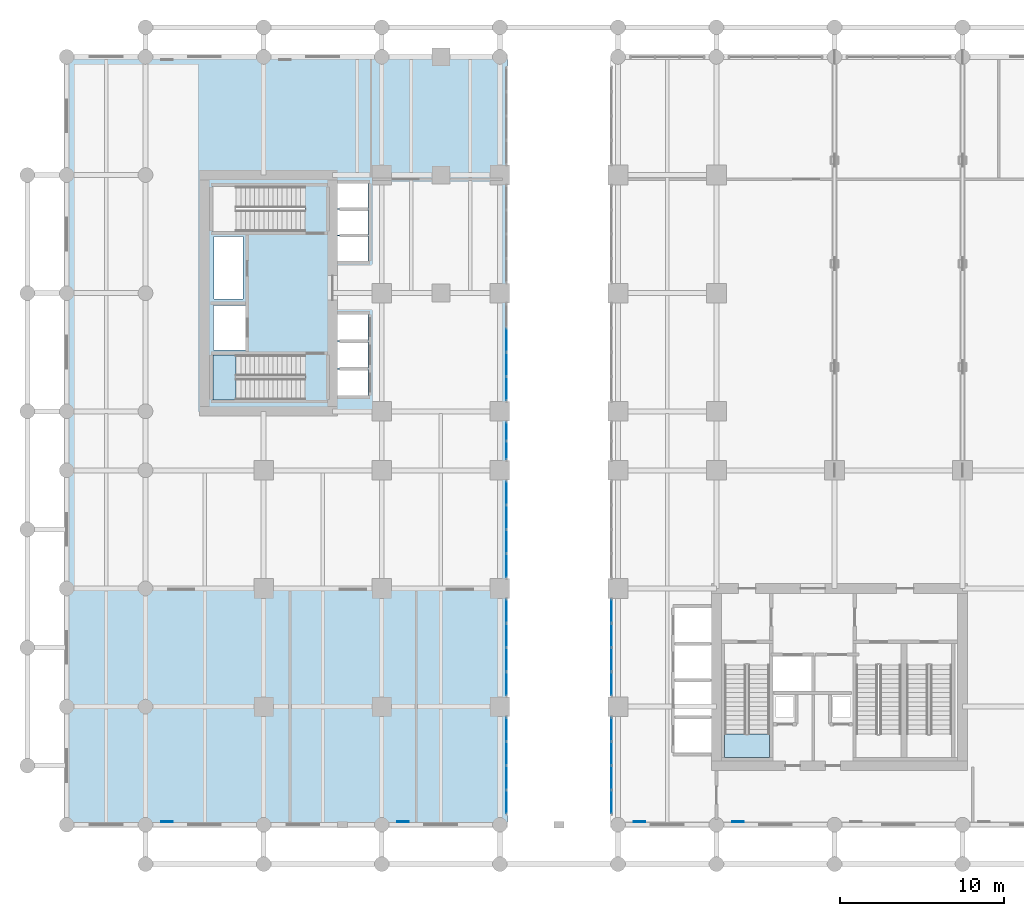
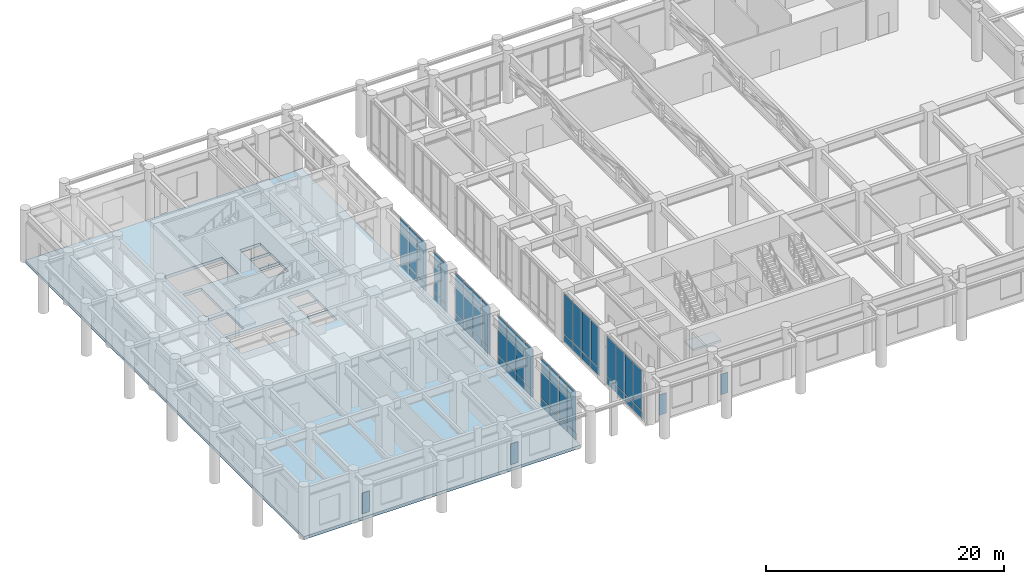
# One storey, part 11 of 24: 54 plates, 3 slabs, 9 elements without a shape of their own.
"""IFC4 building model written with IfcOpenShell, lengths in metres."""

from ifc_helpers import new_model, si_unit, derived_unit, direction, frame, origin, origin_2d, place, context, subcontext, project, spatial, polyline, rectangle, outline, extrude, source, transform, mapped, material, layer, layer_set, type_object, type_shapes, element, aggregate, save


model = new_model("IFC4")

# Units and contexts
model_context = context("Model", 3, precision=1e-05, world=origin(), true_north=direction((0.0, 1.0)))
body_context = subcontext(model_context, "Body", "Model", "MODEL_VIEW")
ifc_project = project(units=[si_unit("LENGTHUNIT", "METRE"), si_unit("AREAUNIT", "SQUARE_METRE"), si_unit("VOLUMEUNIT", "CUBIC_METRE"), si_unit("PLANEANGLEUNIT", "RADIAN"), si_unit("MASSUNIT", "GRAM", prefix="KILO"), si_unit("THERMODYNAMICTEMPERATUREUNIT", "KELVIN"), si_unit("POWERUNIT", "WATT"), derived_unit("THERMALTRANSMITTANCEUNIT", [(si_unit("POWERUNIT", "WATT"), 1), (si_unit("AREAUNIT", "SQUARE_METRE"), -1), (si_unit("THERMODYNAMICTEMPERATUREUNIT", "KELVIN"), -1)])], contexts=[model_context])

# Site, building, storey
site_placement = place(None, origin())
site = spatial("IfcSite", under=ifc_project, at=site_placement, CompositionType="ELEMENT")
building_placement = place(site_placement, origin())
building = spatial("IfcBuilding", under=site, at=building_placement, Name="Zahravan Archway Hotel and Residences", CompositionType="ELEMENT")
storey_placement = place(building_placement, frame((0.0, 0.0, 10.800048828125)))
storey = spatial("IfcBuildingStorey", under=building, at=storey_placement, Name="L02", CompositionType="ELEMENT", Elevation=10.800048828125)

# Slab
ifc_material_1 = material(Name="Concrete C50/60", Category="concrete")
ifc_layer_1 = layer(ifc_material_1, 0.300048828125, Name="Concrete C50/60", Category="concrete")
ifc_layer_set_1 = layer_set([ifc_layer_1], Name="Concrete C50/60")
slab_type_1 = type_object("IfcSlabType", Name="SLB-FLR-300", PredefinedType="FLOOR", material=ifc_layer_set_1)
slab_1_placement = place(storey_placement, frame((0.0, 0.0, -0.300048828125)))
element("IfcSlab", 1, at=slab_1_placement, inside=storey, type_object=slab_type_1, Name="L02 Floor Slab WEST", PredefinedType="FLOOR", context=body_context, shape_type="SweptSolid", body=[
    extrude(outline(polyline([(-4.800048828125, 0.0), (22.050048828125, 0.0), (22.050048828125, 46.800048828125), (-4.800048828125, 46.800048828125), (-4.800048828125, 0.0)]), holes=[polyline([(9.72998046875, 28.639892578125), (4.10009765625, 28.639892578125), (4.10009765625, 25.89990234375), (9.72998046875, 25.89990234375), (9.72998046875, 28.639892578125)]), polyline([(9.72998046875, 38.89990234375), (4.10009765625, 38.89990234375), (4.10009765625, 36.159912109375), (9.72998046875, 36.159912109375), (9.72998046875, 38.89990234375)]), polyline([(4.14990234375, 28.949951171875), (6.10009765625, 28.949951171875), (6.10009765625, 31.64990234375), (4.14990234375, 31.64990234375), (4.14990234375, 28.949951171875)]), polyline([(11.550048828125, 26.14990234375), (13.550048828125, 26.14990234375), (13.550048828125, 27.75), (11.550048828125, 27.75), (11.550048828125, 26.14990234375)]), polyline([(11.550048828125, 27.830078125), (13.550048828125, 27.830078125), (13.550048828125, 29.429931640625), (11.550048828125, 29.429931640625), (11.550048828125, 27.830078125)]), polyline([(11.550048828125, 29.510009765625), (13.550048828125, 29.510009765625), (13.550048828125, 31.110107421875), (11.550048828125, 31.110107421875), (11.550048828125, 29.510009765625)]), polyline([(11.550048828125, 34.35009765625), (13.550048828125, 34.35009765625), (13.550048828125, 35.889892578125), (11.550048828125, 35.889892578125), (11.550048828125, 34.35009765625)]), polyline([(11.550048828125, 35.949951171875), (13.550048828125, 35.949951171875), (13.550048828125, 37.489990234375), (11.550048828125, 37.489990234375), (11.550048828125, 35.949951171875)]), polyline([(11.550048828125, 37.550048828125), (13.550048828125, 37.550048828125), (13.550048828125, 39.090087890625), (11.550048828125, 39.090087890625), (11.550048828125, 37.550048828125)]), polyline([(4.179931640625, 32.050048828125), (5.93994140625, 32.050048828125), (5.93994140625, 35.840087890625), (4.179931640625, 35.840087890625), (4.179931640625, 32.050048828125)])]), origin(), (0.0, 0.0, 1.0), 0.300048828125),
])

# Stair, slab
stair_type = type_object("IfcStairType", Name="STR-CORE-1300", PredefinedType="HALF_TURN_STAIR", material=ifc_material_1)
stair_1_placement = place(storey_placement, origin())
stair_1 = element("IfcStair", 2, at=stair_1_placement, inside=storey, type_object=stair_type, Name="L02 Core A Exit Stair 1", PredefinedType="HALF_TURN_STAIR")
ifc_layer_2 = layer(ifc_material_1, 0.199951171875, Name="Concrete C50/60", Category="concrete")
ifc_layer_set_2 = layer_set([ifc_layer_2], Name="Concrete C50/60")
slab_type_2 = type_object("IfcSlabType", Name="SLB-LND-200", PredefinedType="LANDING", material=ifc_layer_set_2)
slab_2_placement = place(storey_placement, frame((0.0, 0.0, 2.5)))
slab_2 = element("IfcSlab", 3, at=slab_2_placement, type_object=slab_type_2, Name="ST-A1 landing 1", PredefinedType="LANDING", context=body_context, shape_type="SweptSolid", body=[
    extrude(outline(polyline([(35.300048828125, 5.530029296875), (35.300048828125, 4.10009765625), (38.0400390625, 4.10009765625), (38.0400390625, 5.530029296875), (35.300048828125, 5.530029296875)])), origin(), (0.0, 0.0, 1.0), 0.199951171875),
])
aggregate(stair_1, [slab_2])

stair_2_placement = place(storey_placement, origin())
stair_2 = element("IfcStair", 4, at=stair_2_placement, inside=storey, type_object=stair_type, Name="L02 Core B Exit Stair 1", PredefinedType="HALF_TURN_STAIR")
slab_3_placement = place(storey_placement, frame((0.0, 0.0, 2.5)))
slab_3 = element("IfcSlab", 5, at=slab_3_placement, type_object=slab_type_2, Name="ST-B1 landing 1", PredefinedType="LANDING", context=body_context, shape_type="SweptSolid", body=[
    extrude(outline(polyline([(5.530029296875, 28.639892578125), (4.10009765625, 28.639892578125), (4.10009765625, 25.89990234375), (5.530029296875, 25.89990234375), (5.530029296875, 28.639892578125)])), origin(), (0.0, 0.0, 1.0), 0.199951171875),
])
aggregate(stair_2, [slab_3])

# Curtain wall, plates
ifc_material_2 = material(Name="Bronze-Anodized Unitised Aluminium & Low-E Glass", Category="aluminium")
ifc_layer_3 = layer(ifc_material_2, 0.179931640625, Name="Bronze-Anodized Unitised Aluminium & Low-E Glass", Category="aluminium")
ifc_layer_set_3 = layer_set([ifc_layer_3], Name="Bronze-Anodized Unitised Aluminium & Low-E Glass")
curtain_wall_type = type_object("IfcCurtainWallType", Name="CW-POD-ARCH", PredefinedType="NOTDEFINED", material=ifc_layer_set_3)
curtain_wall_1_placement = place(storey_placement, origin())
curtain_wall_1 = element("IfcCurtainWall", 6, at=curtain_wall_1_placement, inside=storey, type_object=curtain_wall_type, Name="L02 Curtain Wall CW-PORTW-L02-1", PredefinedType="NOTDEFINED")
ifc_material_3 = material(Name="Insulated Terracotta Spandrel Panel", Category="masonry")
ifc_layer_4 = layer(ifc_material_3, 0.0400390625, Name="Insulated Terracotta Spandrel Panel", Category="masonry")
ifc_layer_set_4 = layer_set([ifc_layer_4], Name="Insulated Terracotta Spandrel Panel")
plate_type_1 = type_object("IfcPlateType", Name="CWP-SPN-40", PredefinedType="SHEET", material=ifc_layer_set_4)
shared_shape_1 = source(origin(), body_context, "Body", "SweptSolid", [
    extrude(rectangle(XDim=1.3974609375, YDim=0.0400390625, at=origin_2d()), origin(), (0.0, 0.0, 1.0), 0.7099609375),
])
plate_1_placement = place(storey_placement, frame((22.0, 1.3837890625, 0.099853515625), z_axis=(0.0, 0.0, 1.0), x_axis=(0.0, 1.0, 0.0)))
plate_1 = element("IfcPlate", 7, at=plate_1_placement, type_object=plate_type_1, Name="CW-PORTW-L02-1 Spandrel Panel 0", PredefinedType="SHEET", context=body_context, shape_type="MappedRepresentation", body=[
    mapped(shared_shape_1, transform((0.0, 0.0, 0.0), scale=1.0)),
])
plate_2_placement = place(storey_placement, frame((22.0, 2.861328125, 0.099853515625), z_axis=(0.0, 0.0, 1.0), x_axis=(0.0, 1.0, 0.0)))
plate_2 = element("IfcPlate", 8, at=plate_2_placement, type_object=plate_type_1, Name="CW-PORTW-L02-1 Spandrel Panel 1", PredefinedType="SHEET", context=body_context, shape_type="MappedRepresentation", body=[
    mapped(shared_shape_1, transform((0.0, 0.0, 0.0), scale=1.0)),
])
plate_3_placement = place(storey_placement, frame((22.0, 4.338623046875, 0.099853515625), z_axis=(0.0, 0.0, 1.0), x_axis=(0.0, 1.0, 0.0)))
plate_3 = element("IfcPlate", 9, at=plate_3_placement, type_object=plate_type_1, Name="CW-PORTW-L02-1 Spandrel Panel 2", PredefinedType="SHEET", context=body_context, shape_type="MappedRepresentation", body=[
    mapped(shared_shape_1, transform((0.0, 0.0, 0.0), scale=1.0)),
])
plate_4_placement = place(storey_placement, frame((22.0, 5.816162109375, 0.099853515625), z_axis=(0.0, 0.0, 1.0), x_axis=(0.0, 1.0, 0.0)))
plate_4 = element("IfcPlate", 10, at=plate_4_placement, type_object=plate_type_1, Name="CW-PORTW-L02-1 Spandrel Panel 3", PredefinedType="SHEET", context=body_context, shape_type="MappedRepresentation", body=[
    mapped(shared_shape_1, transform((0.0, 0.0, 0.0), scale=1.0)),
])

curtain_wall_2_placement = place(storey_placement, origin())
curtain_wall_2 = element("IfcCurtainWall", 11, at=curtain_wall_2_placement, inside=storey, type_object=curtain_wall_type, Name="L02 Curtain Wall CW-PORTW-L02-2", PredefinedType="NOTDEFINED")
plate_5_placement = place(storey_placement, frame((22.0, 8.583984375, 0.099853515625), z_axis=(0.0, 0.0, 1.0), x_axis=(0.0, 1.0, 0.0)))
plate_5 = element("IfcPlate", 12, at=plate_5_placement, type_object=plate_type_1, Name="CW-PORTW-L02-2 Spandrel Panel 0", PredefinedType="SHEET", context=body_context, shape_type="MappedRepresentation", body=[
    mapped(shared_shape_1, transform((0.0, 0.0, 0.0), scale=1.0)),
])
plate_6_placement = place(storey_placement, frame((22.0, 10.061279296875, 0.099853515625), z_axis=(0.0, 0.0, 1.0), x_axis=(0.0, 1.0, 0.0)))
plate_6 = element("IfcPlate", 13, at=plate_6_placement, type_object=plate_type_1, Name="CW-PORTW-L02-2 Spandrel Panel 1", PredefinedType="SHEET", context=body_context, shape_type="MappedRepresentation", body=[
    mapped(shared_shape_1, transform((0.0, 0.0, 0.0), scale=1.0)),
])
plate_7_placement = place(storey_placement, frame((22.0, 11.538818359375, 0.099853515625), z_axis=(0.0, 0.0, 1.0), x_axis=(0.0, 1.0, 0.0)))
plate_7 = element("IfcPlate", 14, at=plate_7_placement, type_object=plate_type_1, Name="CW-PORTW-L02-2 Spandrel Panel 2", PredefinedType="SHEET", context=body_context, shape_type="MappedRepresentation", body=[
    mapped(shared_shape_1, transform((0.0, 0.0, 0.0), scale=1.0)),
])
plate_8_placement = place(storey_placement, frame((22.0, 13.01611328125, 0.099853515625), z_axis=(0.0, 0.0, 1.0), x_axis=(0.0, 1.0, 0.0)))
plate_8 = element("IfcPlate", 15, at=plate_8_placement, type_object=plate_type_1, Name="CW-PORTW-L02-2 Spandrel Panel 3", PredefinedType="SHEET", context=body_context, shape_type="MappedRepresentation", body=[
    mapped(shared_shape_1, transform((0.0, 0.0, 0.0), scale=1.0)),
])

curtain_wall_3_placement = place(storey_placement, origin())
curtain_wall_3 = element("IfcCurtainWall", 16, at=curtain_wall_3_placement, inside=storey, type_object=curtain_wall_type, Name="L02 Curtain Wall CW-PORTW-L02-3", PredefinedType="NOTDEFINED")
plate_9_placement = place(storey_placement, frame((22.0, 15.783935546875, 0.099853515625), z_axis=(0.0, 0.0, 1.0), x_axis=(0.0, 1.0, 0.0)))
plate_9 = element("IfcPlate", 17, at=plate_9_placement, type_object=plate_type_1, Name="CW-PORTW-L02-3 Spandrel Panel 0", PredefinedType="SHEET", context=body_context, shape_type="MappedRepresentation", body=[
    mapped(shared_shape_1, transform((0.0, 0.0, 0.0), scale=1.0)),
])
plate_10_placement = place(storey_placement, frame((22.0, 17.26123046875, 0.099853515625), z_axis=(0.0, 0.0, 1.0), x_axis=(0.0, 1.0, 0.0)))
plate_10 = element("IfcPlate", 18, at=plate_10_placement, type_object=plate_type_1, Name="CW-PORTW-L02-3 Spandrel Panel 1", PredefinedType="SHEET", context=body_context, shape_type="MappedRepresentation", body=[
    mapped(shared_shape_1, transform((0.0, 0.0, 0.0), scale=1.0)),
])
plate_11_placement = place(storey_placement, frame((22.0, 18.73876953125, 0.099853515625), z_axis=(0.0, 0.0, 1.0), x_axis=(0.0, 1.0, 0.0)))
plate_11 = element("IfcPlate", 19, at=plate_11_placement, type_object=plate_type_1, Name="CW-PORTW-L02-3 Spandrel Panel 2", PredefinedType="SHEET", context=body_context, shape_type="MappedRepresentation", body=[
    mapped(shared_shape_1, transform((0.0, 0.0, 0.0), scale=1.0)),
])
plate_12_placement = place(storey_placement, frame((22.0, 20.216064453125, 0.099853515625), z_axis=(0.0, 0.0, 1.0), x_axis=(0.0, 1.0, 0.0)))
plate_12 = element("IfcPlate", 20, at=plate_12_placement, type_object=plate_type_1, Name="CW-PORTW-L02-3 Spandrel Panel 3", PredefinedType="SHEET", context=body_context, shape_type="MappedRepresentation", body=[
    mapped(shared_shape_1, transform((0.0, 0.0, 0.0), scale=1.0)),
])

curtain_wall_4_placement = place(storey_placement, origin())
curtain_wall_4 = element("IfcCurtainWall", 21, at=curtain_wall_4_placement, inside=storey, type_object=curtain_wall_type, Name="L02 Curtain Wall CW-PORTW-L02-5", PredefinedType="NOTDEFINED")
plate_13_placement = place(storey_placement, frame((22.0, 26.583984375, 0.099853515625), z_axis=(0.0, 0.0, 1.0), x_axis=(0.0, 1.0, 0.0)))
plate_13 = element("IfcPlate", 22, at=plate_13_placement, type_object=plate_type_1, Name="CW-PORTW-L02-5 Spandrel Panel 0", PredefinedType="SHEET", context=body_context, shape_type="MappedRepresentation", body=[
    mapped(shared_shape_1, transform((0.0, 0.0, 0.0), scale=1.0)),
])
plate_14_placement = place(storey_placement, frame((22.0, 28.061279296875, 0.099853515625), z_axis=(0.0, 0.0, 1.0), x_axis=(0.0, 1.0, 0.0)))
plate_14 = element("IfcPlate", 23, at=plate_14_placement, type_object=plate_type_1, Name="CW-PORTW-L02-5 Spandrel Panel 1", PredefinedType="SHEET", context=body_context, shape_type="MappedRepresentation", body=[
    mapped(shared_shape_1, transform((0.0, 0.0, 0.0), scale=1.0)),
])
plate_15_placement = place(storey_placement, frame((22.0, 29.538818359375, 0.099853515625), z_axis=(0.0, 0.0, 1.0), x_axis=(0.0, 1.0, 0.0)))
plate_15 = element("IfcPlate", 24, at=plate_15_placement, type_object=plate_type_1, Name="CW-PORTW-L02-5 Spandrel Panel 2", PredefinedType="SHEET", context=body_context, shape_type="MappedRepresentation", body=[
    mapped(shared_shape_1, transform((0.0, 0.0, 0.0), scale=1.0)),
])

curtain_wall_5_placement = place(storey_placement, origin())
curtain_wall_5 = element("IfcCurtainWall", 25, at=curtain_wall_5_placement, inside=storey, type_object=curtain_wall_type, Name="L02 Curtain Wall CW-PORTE-L02-1", PredefinedType="NOTDEFINED")
plate_16_placement = place(storey_placement, frame((28.39990234375, 1.3837890625, 0.099853515625), z_axis=(0.0, 0.0, 1.0), x_axis=(0.0, 1.0, 0.0)))
plate_16 = element("IfcPlate", 26, at=plate_16_placement, type_object=plate_type_1, Name="CW-PORTE-L02-1 Spandrel Panel 0", PredefinedType="SHEET", context=body_context, shape_type="MappedRepresentation", body=[
    mapped(shared_shape_1, transform((0.0, 0.0, 0.0), scale=1.0)),
])
plate_17_placement = place(storey_placement, frame((28.39990234375, 2.861328125, 0.099853515625), z_axis=(0.0, 0.0, 1.0), x_axis=(0.0, 1.0, 0.0)))
plate_17 = element("IfcPlate", 27, at=plate_17_placement, type_object=plate_type_1, Name="CW-PORTE-L02-1 Spandrel Panel 1", PredefinedType="SHEET", context=body_context, shape_type="MappedRepresentation", body=[
    mapped(shared_shape_1, transform((0.0, 0.0, 0.0), scale=1.0)),
])
plate_18_placement = place(storey_placement, frame((28.39990234375, 4.338623046875, 0.099853515625), z_axis=(0.0, 0.0, 1.0), x_axis=(0.0, 1.0, 0.0)))
plate_18 = element("IfcPlate", 28, at=plate_18_placement, type_object=plate_type_1, Name="CW-PORTE-L02-1 Spandrel Panel 2", PredefinedType="SHEET", context=body_context, shape_type="MappedRepresentation", body=[
    mapped(shared_shape_1, transform((0.0, 0.0, 0.0), scale=1.0)),
])
plate_19_placement = place(storey_placement, frame((28.39990234375, 5.816162109375, 0.099853515625), z_axis=(0.0, 0.0, 1.0), x_axis=(0.0, 1.0, 0.0)))
plate_19 = element("IfcPlate", 29, at=plate_19_placement, type_object=plate_type_1, Name="CW-PORTE-L02-1 Spandrel Panel 3", PredefinedType="SHEET", context=body_context, shape_type="MappedRepresentation", body=[
    mapped(shared_shape_1, transform((0.0, 0.0, 0.0), scale=1.0)),
])

curtain_wall_6_placement = place(storey_placement, origin())
curtain_wall_6 = element("IfcCurtainWall", 30, at=curtain_wall_6_placement, inside=storey, type_object=curtain_wall_type, Name="L02 Curtain Wall CW-PORTE-L02-2", PredefinedType="NOTDEFINED")
plate_20_placement = place(storey_placement, frame((28.39990234375, 8.583984375, 0.099853515625), z_axis=(0.0, 0.0, 1.0), x_axis=(0.0, 1.0, 0.0)))
plate_20 = element("IfcPlate", 31, at=plate_20_placement, type_object=plate_type_1, Name="CW-PORTE-L02-2 Spandrel Panel 0", PredefinedType="SHEET", context=body_context, shape_type="MappedRepresentation", body=[
    mapped(shared_shape_1, transform((0.0, 0.0, 0.0), scale=1.0)),
])
plate_21_placement = place(storey_placement, frame((28.39990234375, 10.061279296875, 0.099853515625), z_axis=(0.0, 0.0, 1.0), x_axis=(0.0, 1.0, 0.0)))
plate_21 = element("IfcPlate", 32, at=plate_21_placement, type_object=plate_type_1, Name="CW-PORTE-L02-2 Spandrel Panel 1", PredefinedType="SHEET", context=body_context, shape_type="MappedRepresentation", body=[
    mapped(shared_shape_1, transform((0.0, 0.0, 0.0), scale=1.0)),
])
plate_22_placement = place(storey_placement, frame((28.39990234375, 11.538818359375, 0.099853515625), z_axis=(0.0, 0.0, 1.0), x_axis=(0.0, 1.0, 0.0)))
plate_22 = element("IfcPlate", 33, at=plate_22_placement, type_object=plate_type_1, Name="CW-PORTE-L02-2 Spandrel Panel 2", PredefinedType="SHEET", context=body_context, shape_type="MappedRepresentation", body=[
    mapped(shared_shape_1, transform((0.0, 0.0, 0.0), scale=1.0)),
])
plate_23_placement = place(storey_placement, frame((28.39990234375, 13.01611328125, 0.099853515625), z_axis=(0.0, 0.0, 1.0), x_axis=(0.0, 1.0, 0.0)))
plate_23 = element("IfcPlate", 34, at=plate_23_placement, type_object=plate_type_1, Name="CW-PORTE-L02-2 Spandrel Panel 3", PredefinedType="SHEET", context=body_context, shape_type="MappedRepresentation", body=[
    mapped(shared_shape_1, transform((0.0, 0.0, 0.0), scale=1.0)),
])

# Plate
ifc_material_4 = material(Name="Double-Silver Low-E Insulated Vision Glass", Category="glass")
ifc_layer_5 = layer(ifc_material_4, 0.028076171875, Name="Double-Silver Low-E Insulated Vision Glass", Category="glass")
ifc_layer_set_5 = layer_set([ifc_layer_5], Name="Double-Silver Low-E Insulated Vision Glass")
plate_type_2 = type_object("IfcPlateType", Name="CWP-GLZ-28", PredefinedType="CURTAIN_PANEL", material=ifc_layer_set_5)
shared_shape_2 = source(origin(), body_context, "Body", "SweptSolid", [
    extrude(rectangle(XDim=1.3974609375, YDim=0.028076171875, at=origin_2d()), origin(), (0.0, 0.0, 1.0), 4.110107421875),
])
plate_24_placement = place(storey_placement, frame((22.0, 1.3837890625, 0.89013671875), z_axis=(0.0, 0.0, 1.0), x_axis=(0.0, 1.0, 0.0)))
plate_24 = element("IfcPlate", 35, at=plate_24_placement, type_object=plate_type_2, Name="CW-PORTW-L02-1 Low-E Vision Panel 0", PredefinedType="CURTAIN_PANEL", context=body_context, shape_type="MappedRepresentation", body=[
    mapped(shared_shape_2, transform((0.0, 0.0, 0.0), scale=1.0)),
])

plate_25_placement = place(storey_placement, frame((22.0, 2.861328125, 0.89013671875), z_axis=(0.0, 0.0, 1.0), x_axis=(0.0, 1.0, 0.0)))
plate_25 = element("IfcPlate", 36, at=plate_25_placement, type_object=plate_type_2, Name="CW-PORTW-L02-1 Low-E Vision Panel 1", PredefinedType="CURTAIN_PANEL", context=body_context, shape_type="MappedRepresentation", body=[
    mapped(shared_shape_2, transform((0.0, 0.0, 0.0), scale=1.0)),
])

plate_26_placement = place(storey_placement, frame((22.0, 4.338623046875, 0.89013671875), z_axis=(0.0, 0.0, 1.0), x_axis=(0.0, 1.0, 0.0)))
plate_26 = element("IfcPlate", 37, at=plate_26_placement, type_object=plate_type_2, Name="CW-PORTW-L02-1 Low-E Vision Panel 2", PredefinedType="CURTAIN_PANEL", context=body_context, shape_type="MappedRepresentation", body=[
    mapped(shared_shape_2, transform((0.0, 0.0, 0.0), scale=1.0)),
])

plate_27_placement = place(storey_placement, frame((22.0, 5.816162109375, 0.89013671875), z_axis=(0.0, 0.0, 1.0), x_axis=(0.0, 1.0, 0.0)))
plate_27 = element("IfcPlate", 38, at=plate_27_placement, type_object=plate_type_2, Name="CW-PORTW-L02-1 Low-E Vision Panel 3", PredefinedType="CURTAIN_PANEL", context=body_context, shape_type="MappedRepresentation", body=[
    mapped(shared_shape_2, transform((0.0, 0.0, 0.0), scale=1.0)),
])

aggregate(curtain_wall_1, [plate_1, plate_24, plate_2, plate_25, plate_3, plate_26, plate_4, plate_27])

plate_28_placement = place(storey_placement, frame((22.0, 8.583984375, 0.89013671875), z_axis=(0.0, 0.0, 1.0), x_axis=(0.0, 1.0, 0.0)))
plate_28 = element("IfcPlate", 39, at=plate_28_placement, type_object=plate_type_2, Name="CW-PORTW-L02-2 Low-E Vision Panel 0", PredefinedType="CURTAIN_PANEL", context=body_context, shape_type="MappedRepresentation", body=[
    mapped(shared_shape_2, transform((0.0, 0.0, 0.0), scale=1.0)),
])

plate_29_placement = place(storey_placement, frame((22.0, 10.061279296875, 0.89013671875), z_axis=(0.0, 0.0, 1.0), x_axis=(0.0, 1.0, 0.0)))
plate_29 = element("IfcPlate", 40, at=plate_29_placement, type_object=plate_type_2, Name="CW-PORTW-L02-2 Low-E Vision Panel 1", PredefinedType="CURTAIN_PANEL", context=body_context, shape_type="MappedRepresentation", body=[
    mapped(shared_shape_2, transform((0.0, 0.0, 0.0), scale=1.0)),
])

plate_30_placement = place(storey_placement, frame((22.0, 11.538818359375, 0.89013671875), z_axis=(0.0, 0.0, 1.0), x_axis=(0.0, 1.0, 0.0)))
plate_30 = element("IfcPlate", 41, at=plate_30_placement, type_object=plate_type_2, Name="CW-PORTW-L02-2 Low-E Vision Panel 2", PredefinedType="CURTAIN_PANEL", context=body_context, shape_type="MappedRepresentation", body=[
    mapped(shared_shape_2, transform((0.0, 0.0, 0.0), scale=1.0)),
])

plate_31_placement = place(storey_placement, frame((22.0, 13.01611328125, 0.89013671875), z_axis=(0.0, 0.0, 1.0), x_axis=(0.0, 1.0, 0.0)))
plate_31 = element("IfcPlate", 42, at=plate_31_placement, type_object=plate_type_2, Name="CW-PORTW-L02-2 Low-E Vision Panel 3", PredefinedType="CURTAIN_PANEL", context=body_context, shape_type="MappedRepresentation", body=[
    mapped(shared_shape_2, transform((0.0, 0.0, 0.0), scale=1.0)),
])

aggregate(curtain_wall_2, [plate_5, plate_28, plate_6, plate_29, plate_7, plate_30, plate_8, plate_31])

plate_32_placement = place(storey_placement, frame((22.0, 15.783935546875, 0.89013671875), z_axis=(0.0, 0.0, 1.0), x_axis=(0.0, 1.0, 0.0)))
plate_32 = element("IfcPlate", 43, at=plate_32_placement, type_object=plate_type_2, Name="CW-PORTW-L02-3 Low-E Vision Panel 0", PredefinedType="CURTAIN_PANEL", context=body_context, shape_type="MappedRepresentation", body=[
    mapped(shared_shape_2, transform((0.0, 0.0, 0.0), scale=1.0)),
])

plate_33_placement = place(storey_placement, frame((22.0, 17.26123046875, 0.89013671875), z_axis=(0.0, 0.0, 1.0), x_axis=(0.0, 1.0, 0.0)))
plate_33 = element("IfcPlate", 44, at=plate_33_placement, type_object=plate_type_2, Name="CW-PORTW-L02-3 Low-E Vision Panel 1", PredefinedType="CURTAIN_PANEL", context=body_context, shape_type="MappedRepresentation", body=[
    mapped(shared_shape_2, transform((0.0, 0.0, 0.0), scale=1.0)),
])

plate_34_placement = place(storey_placement, frame((22.0, 18.73876953125, 0.89013671875), z_axis=(0.0, 0.0, 1.0), x_axis=(0.0, 1.0, 0.0)))
plate_34 = element("IfcPlate", 45, at=plate_34_placement, type_object=plate_type_2, Name="CW-PORTW-L02-3 Low-E Vision Panel 2", PredefinedType="CURTAIN_PANEL", context=body_context, shape_type="MappedRepresentation", body=[
    mapped(shared_shape_2, transform((0.0, 0.0, 0.0), scale=1.0)),
])

plate_35_placement = place(storey_placement, frame((22.0, 20.216064453125, 0.89013671875), z_axis=(0.0, 0.0, 1.0), x_axis=(0.0, 1.0, 0.0)))
plate_35 = element("IfcPlate", 46, at=plate_35_placement, type_object=plate_type_2, Name="CW-PORTW-L02-3 Low-E Vision Panel 3", PredefinedType="CURTAIN_PANEL", context=body_context, shape_type="MappedRepresentation", body=[
    mapped(shared_shape_2, transform((0.0, 0.0, 0.0), scale=1.0)),
])

aggregate(curtain_wall_3, [plate_9, plate_32, plate_10, plate_33, plate_11, plate_34, plate_12, plate_35])

plate_36_placement = place(storey_placement, frame((22.0, 26.583984375, 0.89013671875), z_axis=(0.0, 0.0, 1.0), x_axis=(0.0, 1.0, 0.0)))
plate_36 = element("IfcPlate", 47, at=plate_36_placement, type_object=plate_type_2, Name="CW-PORTW-L02-5 Low-E Vision Panel 0", PredefinedType="CURTAIN_PANEL", context=body_context, shape_type="MappedRepresentation", body=[
    mapped(shared_shape_2, transform((0.0, 0.0, 0.0), scale=1.0)),
])

plate_37_placement = place(storey_placement, frame((22.0, 28.061279296875, 0.89013671875), z_axis=(0.0, 0.0, 1.0), x_axis=(0.0, 1.0, 0.0)))
plate_37 = element("IfcPlate", 48, at=plate_37_placement, type_object=plate_type_2, Name="CW-PORTW-L02-5 Low-E Vision Panel 1", PredefinedType="CURTAIN_PANEL", context=body_context, shape_type="MappedRepresentation", body=[
    mapped(shared_shape_2, transform((0.0, 0.0, 0.0), scale=1.0)),
])

plate_38_placement = place(storey_placement, frame((22.0, 29.538818359375, 0.89013671875), z_axis=(0.0, 0.0, 1.0), x_axis=(0.0, 1.0, 0.0)))
plate_38 = element("IfcPlate", 49, at=plate_38_placement, type_object=plate_type_2, Name="CW-PORTW-L02-5 Low-E Vision Panel 2", PredefinedType="CURTAIN_PANEL", context=body_context, shape_type="MappedRepresentation", body=[
    mapped(shared_shape_2, transform((0.0, 0.0, 0.0), scale=1.0)),
])

aggregate(curtain_wall_4, [plate_13, plate_36, plate_14, plate_37, plate_15, plate_38])

plate_39_placement = place(storey_placement, frame((28.39990234375, 1.3837890625, 0.89013671875), z_axis=(0.0, 0.0, 1.0), x_axis=(0.0, 1.0, 0.0)))
plate_39 = element("IfcPlate", 50, at=plate_39_placement, type_object=plate_type_2, Name="CW-PORTE-L02-1 Low-E Vision Panel 0", PredefinedType="CURTAIN_PANEL", context=body_context, shape_type="MappedRepresentation", body=[
    mapped(shared_shape_2, transform((0.0, 0.0, 0.0), scale=1.0)),
])

plate_40_placement = place(storey_placement, frame((28.39990234375, 2.861328125, 0.89013671875), z_axis=(0.0, 0.0, 1.0), x_axis=(0.0, 1.0, 0.0)))
plate_40 = element("IfcPlate", 51, at=plate_40_placement, type_object=plate_type_2, Name="CW-PORTE-L02-1 Low-E Vision Panel 1", PredefinedType="CURTAIN_PANEL", context=body_context, shape_type="MappedRepresentation", body=[
    mapped(shared_shape_2, transform((0.0, 0.0, 0.0), scale=1.0)),
])

plate_41_placement = place(storey_placement, frame((28.39990234375, 4.338623046875, 0.89013671875), z_axis=(0.0, 0.0, 1.0), x_axis=(0.0, 1.0, 0.0)))
plate_41 = element("IfcPlate", 52, at=plate_41_placement, type_object=plate_type_2, Name="CW-PORTE-L02-1 Low-E Vision Panel 2", PredefinedType="CURTAIN_PANEL", context=body_context, shape_type="MappedRepresentation", body=[
    mapped(shared_shape_2, transform((0.0, 0.0, 0.0), scale=1.0)),
])

plate_42_placement = place(storey_placement, frame((28.39990234375, 5.816162109375, 0.89013671875), z_axis=(0.0, 0.0, 1.0), x_axis=(0.0, 1.0, 0.0)))
plate_42 = element("IfcPlate", 53, at=plate_42_placement, type_object=plate_type_2, Name="CW-PORTE-L02-1 Low-E Vision Panel 3", PredefinedType="CURTAIN_PANEL", context=body_context, shape_type="MappedRepresentation", body=[
    mapped(shared_shape_2, transform((0.0, 0.0, 0.0), scale=1.0)),
])

aggregate(curtain_wall_5, [plate_16, plate_39, plate_17, plate_40, plate_18, plate_41, plate_19, plate_42])

plate_43_placement = place(storey_placement, frame((28.39990234375, 8.583984375, 0.89013671875), z_axis=(0.0, 0.0, 1.0), x_axis=(0.0, 1.0, 0.0)))
plate_43 = element("IfcPlate", 54, at=plate_43_placement, type_object=plate_type_2, Name="CW-PORTE-L02-2 Low-E Vision Panel 0", PredefinedType="CURTAIN_PANEL", context=body_context, shape_type="MappedRepresentation", body=[
    mapped(shared_shape_2, transform((0.0, 0.0, 0.0), scale=1.0)),
])

plate_44_placement = place(storey_placement, frame((28.39990234375, 10.061279296875, 0.89013671875), z_axis=(0.0, 0.0, 1.0), x_axis=(0.0, 1.0, 0.0)))
plate_44 = element("IfcPlate", 55, at=plate_44_placement, type_object=plate_type_2, Name="CW-PORTE-L02-2 Low-E Vision Panel 1", PredefinedType="CURTAIN_PANEL", context=body_context, shape_type="MappedRepresentation", body=[
    mapped(shared_shape_2, transform((0.0, 0.0, 0.0), scale=1.0)),
])

plate_45_placement = place(storey_placement, frame((28.39990234375, 11.538818359375, 0.89013671875), z_axis=(0.0, 0.0, 1.0), x_axis=(0.0, 1.0, 0.0)))
plate_45 = element("IfcPlate", 56, at=plate_45_placement, type_object=plate_type_2, Name="CW-PORTE-L02-2 Low-E Vision Panel 2", PredefinedType="CURTAIN_PANEL", context=body_context, shape_type="MappedRepresentation", body=[
    mapped(shared_shape_2, transform((0.0, 0.0, 0.0), scale=1.0)),
])

plate_46_placement = place(storey_placement, frame((28.39990234375, 13.01611328125, 0.89013671875), z_axis=(0.0, 0.0, 1.0), x_axis=(0.0, 1.0, 0.0)))
plate_46 = element("IfcPlate", 57, at=plate_46_placement, type_object=plate_type_2, Name="CW-PORTE-L02-2 Low-E Vision Panel 3", PredefinedType="CURTAIN_PANEL", context=body_context, shape_type="MappedRepresentation", body=[
    mapped(shared_shape_2, transform((0.0, 0.0, 0.0), scale=1.0)),
])

aggregate(curtain_wall_6, [plate_20, plate_43, plate_21, plate_44, plate_22, plate_45, plate_23, plate_46])

# Curtain wall, plates
curtain_wall_7_placement = place(storey_placement, origin())
curtain_wall_7 = element("IfcCurtainWall", 58, at=curtain_wall_7_placement, inside=storey, type_object=curtain_wall_type, Name="L02 Curtain Wall CW-PORTW-L02-4", PredefinedType="NOTDEFINED")
shared_shape_3 = source(origin(), body_context, "Body", "SweptSolid", [
    extrude(rectangle(XDim=1.07470703125, YDim=0.0400390625, at=origin_2d()), origin(), (0.0, 0.0, 1.0), 0.7099609375),
])
plate_47_placement = place(storey_placement, frame((22.0, 22.822509765625, 0.099853515625), z_axis=(0.0, 0.0, 1.0), x_axis=(0.0, 1.0, 0.0)))
plate_47 = element("IfcPlate", 59, at=plate_47_placement, type_object=plate_type_1, Name="CW-PORTW-L02-4 Spandrel Panel 0", PredefinedType="SHEET", context=body_context, shape_type="MappedRepresentation", body=[
    mapped(shared_shape_3, transform((0.0, 0.0, 0.0), scale=1.0)),
])
plate_48_placement = place(storey_placement, frame((22.0, 23.977294921875, 0.099853515625), z_axis=(0.0, 0.0, 1.0), x_axis=(0.0, 1.0, 0.0)))
plate_48 = element("IfcPlate", 60, at=plate_48_placement, type_object=plate_type_1, Name="CW-PORTW-L02-4 Spandrel Panel 1", PredefinedType="SHEET", context=body_context, shape_type="MappedRepresentation", body=[
    mapped(shared_shape_3, transform((0.0, 0.0, 0.0), scale=1.0)),
])
shared_shape_4 = source(origin(), body_context, "Body", "SweptSolid", [
    extrude(rectangle(XDim=1.07470703125, YDim=0.028076171875, at=origin_2d()), origin(), (0.0, 0.0, 1.0), 4.110107421875),
])
plate_49_placement = place(storey_placement, frame((22.0, 22.822509765625, 0.89013671875), z_axis=(0.0, 0.0, 1.0), x_axis=(0.0, 1.0, 0.0)))
plate_49 = element("IfcPlate", 61, at=plate_49_placement, type_object=plate_type_2, Name="CW-PORTW-L02-4 Low-E Vision Panel 0", PredefinedType="CURTAIN_PANEL", context=body_context, shape_type="MappedRepresentation", body=[
    mapped(shared_shape_4, transform((0.0, 0.0, 0.0), scale=1.0)),
])
plate_50_placement = place(storey_placement, frame((22.0, 23.977294921875, 0.89013671875), z_axis=(0.0, 0.0, 1.0), x_axis=(0.0, 1.0, 0.0)))
plate_50 = element("IfcPlate", 62, at=plate_50_placement, type_object=plate_type_2, Name="CW-PORTW-L02-4 Low-E Vision Panel 1", PredefinedType="CURTAIN_PANEL", context=body_context, shape_type="MappedRepresentation", body=[
    mapped(shared_shape_4, transform((0.0, 0.0, 0.0), scale=1.0)),
])
aggregate(curtain_wall_7, [plate_47, plate_49, plate_48, plate_50])

# Plates
ifc_material_5 = material(Name="Perforated Cast Bronze Jali Lattice")
ifc_layer_6 = layer(ifc_material_5, 0.044921875, Name="Perforated Cast Bronze Jali Lattice")
ifc_layer_set_6 = layer_set([ifc_layer_6], Name="Perforated Cast Bronze Jali Lattice")
plate_type_3 = type_object("IfcPlateType", Name="PLT-JALI-BAY", PredefinedType="USERDEFINED", material=ifc_layer_set_6)
shared_shape_5 = source(origin(), body_context, "Body", "SweptSolid", [
    extrude(rectangle(XDim=0.699951171875, YDim=0.044921875, at=origin_2d()), origin(), (0.0, 0.0, 1.0), 2.10009765625),
])
type_shapes(plate_type_3, [shared_shape_5])
for number, where, z_axis, x_axis, name in (
    (63, (1.300048828125, 0.177978515625, 0.25), (0.0, 0.0, 1.0), (1.0, 0.0, 0.0), "L02 Podium Mughal Jali Pier Screen 01"),
    (64, (15.699951171875, 0.177978515625, 0.25), (0.0, 0.0, 1.0), (1.0, 0.0, 0.0), "L02 Podium Mughal Jali Pier Screen 02"),
    (65, (30.10009765625, 0.177978515625, 0.25), (0.0, 0.0, 1.0), (1.0, 0.0, 0.0), "L02 Podium Mughal Jali Pier Screen 03"),
    (66, (36.10009765625, 0.177978515625, 0.25), (0.0, 0.0, 1.0), (1.0, 0.0, 0.0), "L02 Podium Mughal Jali Pier Screen 04"),
):
    element("IfcPlate", number, at=place(storey_placement, frame(where, z_axis=z_axis, x_axis=x_axis)), inside=storey, type_object=plate_type_3, Name=name, ObjectType="SCREEN", PredefinedType="USERDEFINED", context=body_context, shape_type="MappedRepresentation", body=[
        mapped(shared_shape_5, transform((0.0, 0.0, 0.0), scale=1.0)),
    ])

save(model, "model.ifc")
